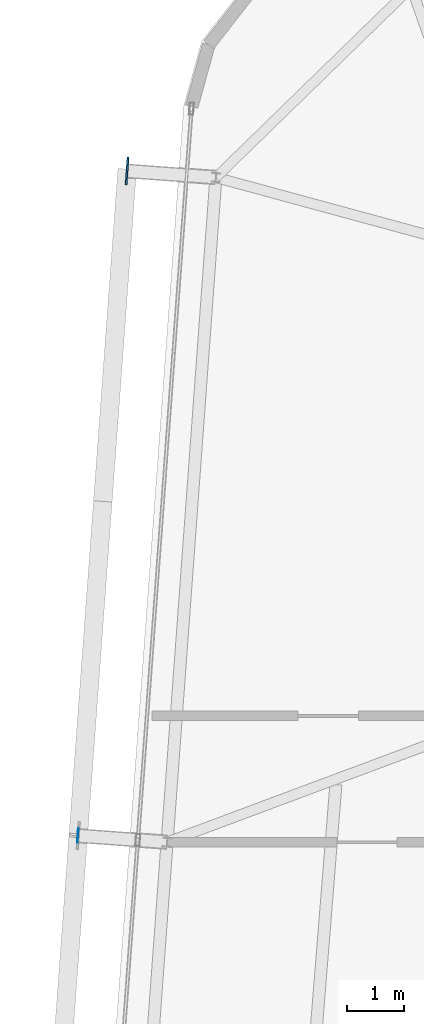
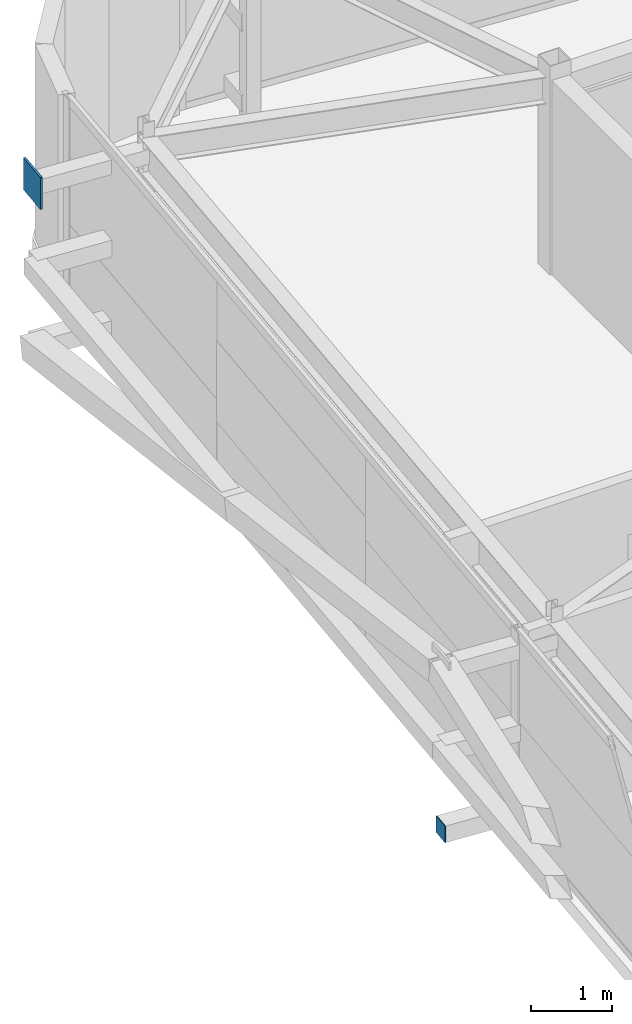
# One storey, part 31 of 39: 2 plates.
"""IFC4 building model written with IfcOpenShell, lengths in metres."""

from ifc_helpers import new_model, si_unit, direction, frame, origin, origin_2d, place, context, subcontext, project, spatial, rectangle, extrude, source, transform, mapped, material, layer, layer_set, type_object, element, save


model = new_model("IFC4")

# Units and contexts
model_context = context("Model", 3, precision=1e-05, world=origin(), true_north=direction((0.0, 1.0)))
body_context = subcontext(model_context, "Body", "Model", "MODEL_VIEW")
ifc_project = project(units=[si_unit("LENGTHUNIT", "METRE"), si_unit("AREAUNIT", "SQUARE_METRE"), si_unit("VOLUMEUNIT", "CUBIC_METRE"), si_unit("PLANEANGLEUNIT", "RADIAN"), si_unit("MASSUNIT", "GRAM", prefix="KILO")], contexts=[model_context])

# Site, building, storey
site_placement = place(None, origin())
site = spatial("IfcSite", under=ifc_project, at=site_placement, CompositionType="ELEMENT")
building_placement = place(site_placement, origin())
building = spatial("IfcBuilding", under=site, at=building_placement, Name="Taldren Reach Tower", CompositionType="ELEMENT")
storey_placement = place(building_placement, frame((0.0, 0.0, 230.300048828125)))
storey = spatial("IfcBuildingStorey", under=building, at=storey_placement, Name="L70", CompositionType="ELEMENT", Elevation=230.300048828125)

# Plates
ifc_material_1 = material(Name="Steel Gr 350 (C350L0)", Category="steel")
ifc_layer_1 = layer(ifc_material_1, 0.011962890625)
ifc_layer_set_1 = layer_set([ifc_layer_1], Name="Steel Gr 350 (C350L0)")
plate_type_1 = type_object("IfcPlateType", Name="PL-CAP-250", PredefinedType="SHEET", material=ifc_layer_set_1)
shared_shape_1 = source(origin(), body_context, "Body", "SweptSolid", [
    extrude(rectangle(XDim=0.011962890625, YDim=0.25, at=origin_2d()), origin(), (0.0, 0.0, 1.0), 0.25),
])
plate_1_placement = place(storey_placement, frame((11.556884765625, 21.914306640625, 0.094970703125), z_axis=(0.0, 0.0, 1.0), x_axis=(0.997314477224, -0.073238197128, 0.0)))
element("IfcPlate", 1, at=plate_1_placement, inside=storey, type_object=plate_type_1, Name="Tie strut end cap plate B5-W2 L70", PredefinedType="SHEET", context=body_context, shape_type="MappedRepresentation", body=[
    mapped(shared_shape_1, transform((0.0, 0.0, 0.0), scale=1.0)),
])
ifc_material_2 = material(Name="Steel Gr 450 (C450L0)", Category="steel")
ifc_layer_2 = layer(ifc_material_2, 0.031982421875)
ifc_layer_set_2 = layer_set([ifc_layer_2], Name="Steel Gr 450 (C450L0)")
plate_type_2 = type_object("IfcPlateType", Name="PL-GUSSET-32", PredefinedType="SHEET", material=ifc_layer_set_2)
shared_shape_2 = source(origin(), body_context, "Body", "SweptSolid", [
    extrude(rectangle(XDim=0.47998046875, YDim=0.031982421875, at=origin_2d()), origin(), (0.0, 0.0, 1.0), 0.47998046875),
])
plate_2_placement = place(storey_placement, frame((12.412353515625, 33.482666015625, 2.409912109375), z_axis=(0.0, 0.0, 1.0), x_axis=(0.073238197128, 0.997314477224, 0.0)))
element("IfcPlate", 2, at=plate_2_placement, inside=storey, type_object=plate_type_2, Name="Exoskeleton star-node gusset plate B5-W3 L70", PredefinedType="SHEET", context=body_context, shape_type="MappedRepresentation", body=[
    mapped(shared_shape_2, transform((0.0, 0.0, 0.0), scale=1.0)),
])

save(model, "model.ifc")
